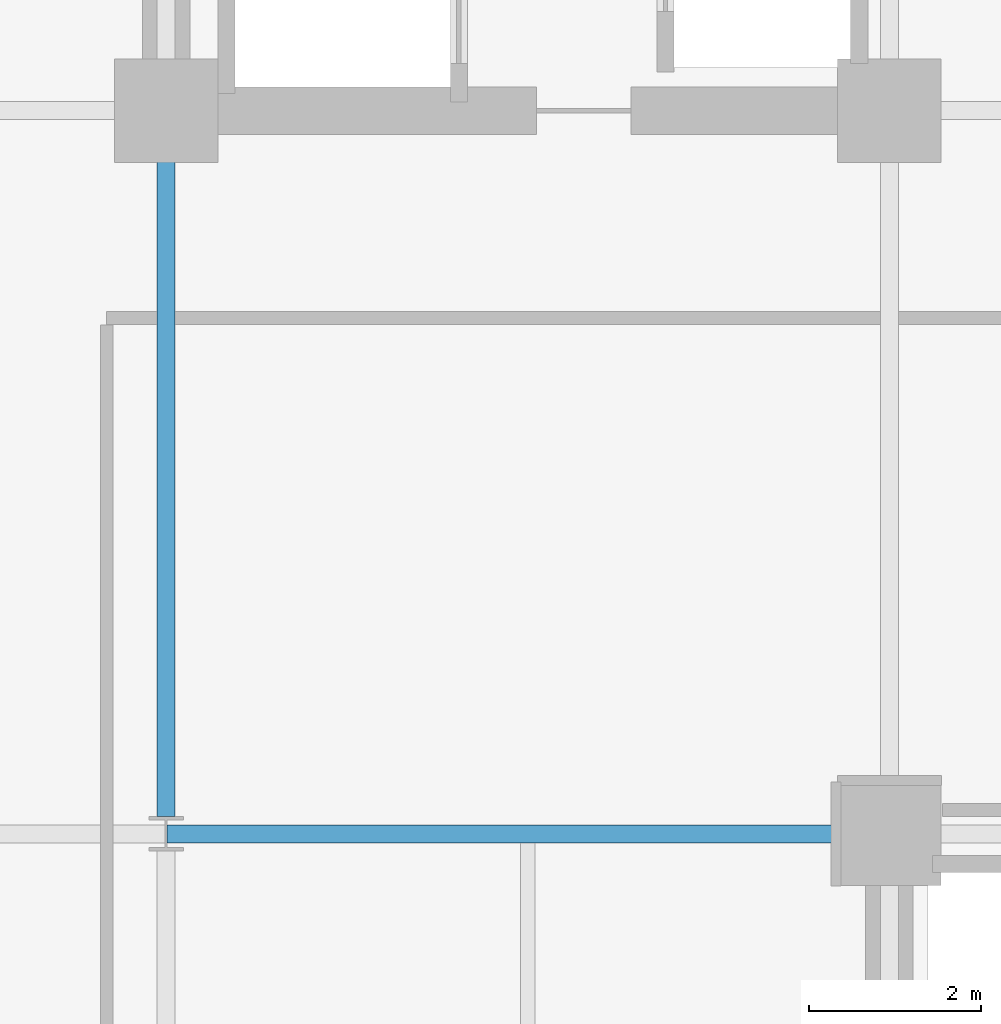
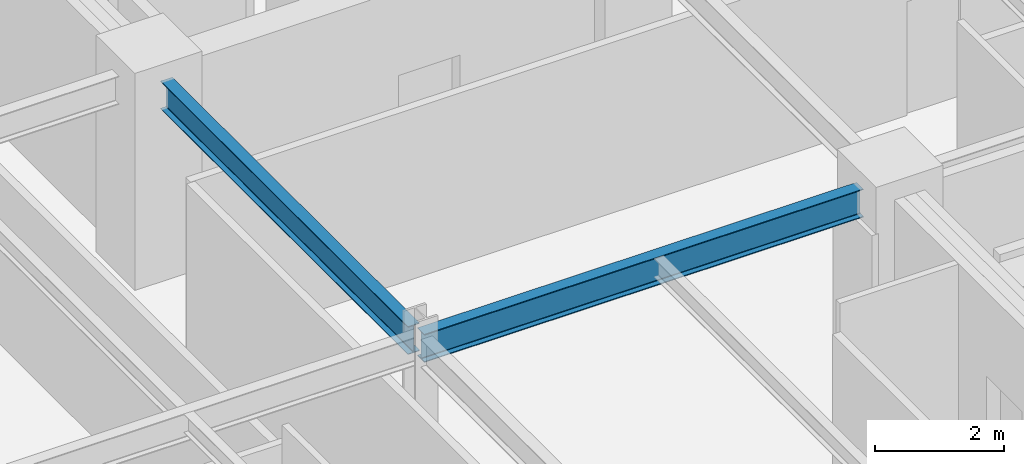
# One storey, part 12 of 40: 2 beams.
"""IFC4 building model written with IfcOpenShell, lengths in metres."""

from ifc_helpers import new_model, si_unit, direction, frame, origin, origin_2d, place, context, subcontext, project, spatial, i_section, extrude, material, material_profile, profile_set, type_object, element, save


model = new_model("IFC4")

# Units and contexts
model_context = context("Model", 3, precision=1e-05, world=origin(), true_north=direction((0.0, 1.0)))
body_context = subcontext(model_context, "Body", "Model", "MODEL_VIEW")
ifc_project = project(units=[si_unit("LENGTHUNIT", "METRE"), si_unit("AREAUNIT", "SQUARE_METRE"), si_unit("VOLUMEUNIT", "CUBIC_METRE"), si_unit("PLANEANGLEUNIT", "RADIAN"), si_unit("MASSUNIT", "GRAM", prefix="KILO")], contexts=[model_context])

# Site, building, storey
site_placement = place(None, origin())
site = spatial("IfcSite", under=ifc_project, at=site_placement, CompositionType="ELEMENT")
building_placement = place(site_placement, origin())
building = spatial("IfcBuilding", under=site, at=building_placement, Name="Nerrivon Quay Data Exchange", CompositionType="ELEMENT")
storey_placement = place(building_placement, frame((0.0, 0.0, 109.0)))
storey = spatial("IfcBuildingStorey", under=building, at=storey_placement, Name="L25", CompositionType="ELEMENT", Elevation=109.0)

# Beams
ifc_material = material(Name="Steel Grade 350", Category="steel")
ifc_material_profile_1 = material_profile(ifc_material, i_section(OverallWidth=0.208984375, OverallDepth=0.532958984375, WebThickness=0.01025390625, FlangeThickness=0.015625, FilletRadius=0.013916015625, at=origin_2d()), Name="530UB92.4")
ifc_profile_set_1 = profile_set([ifc_material_profile_1], Name="Steel Grade 350")
beam_type_1 = type_object("IfcBeamType", Name="BM-G3-530UB92", PredefinedType="BEAM", material=ifc_profile_set_1)
beam_1_placement = place(storey_placement, frame((8.41259765625, 16.800048828125, 3.4833984375), z_axis=(1.0, 0.0, 0.0), x_axis=(0.0, 1.0, 0.0)))
element("IfcBeam", 1, at=beam_1_placement, inside=storey, type_object=beam_type_1, Name="L25 EW Girder Y=16.8 (8.4..16.8)", PredefinedType="BEAM", context=body_context, shape_type="SweptSolid", body=[
    extrude(i_section(OverallWidth=0.208984375, OverallDepth=0.532958984375, WebThickness=0.01025390625, FlangeThickness=0.015625, FilletRadius=0.013916015625, at=origin_2d()), origin(), (0.0, 0.0, 1.0), 7.847412109375),
])
ifc_material_profile_2 = material_profile(ifc_material, i_section(OverallWidth=0.208984375, OverallDepth=0.528076171875, WebThickness=0.009521484375, FlangeThickness=0.01318359375, FilletRadius=0.013916015625, at=origin_2d()), Name="530UB82.0")
ifc_profile_set_2 = profile_set([ifc_material_profile_2], Name="Steel Grade 350")
beam_type_2 = type_object("IfcBeamType", Name="BM-G4-530UB82", PredefinedType="BEAM", material=ifc_profile_set_2)
beam_2_placement = place(storey_placement, frame((8.39990234375, 17.0, 3.486083984375), z_axis=(0.0, 1.0, 0.0), x_axis=(-1.0, 0.0, 0.0)))
element("IfcBeam", 2, at=beam_2_placement, inside=storey, type_object=beam_type_2, Name="L25 NS Girder X=8.4 (16.8..25.2)", PredefinedType="BEAM", context=body_context, shape_type="SweptSolid", body=[
    extrude(i_section(OverallWidth=0.208984375, OverallDepth=0.528076171875, WebThickness=0.009521484375, FlangeThickness=0.01318359375, FilletRadius=0.013916015625, at=origin_2d()), origin(), (0.0, 0.0, 1.0), 7.659912109375),
])

save(model, "model.ifc")
